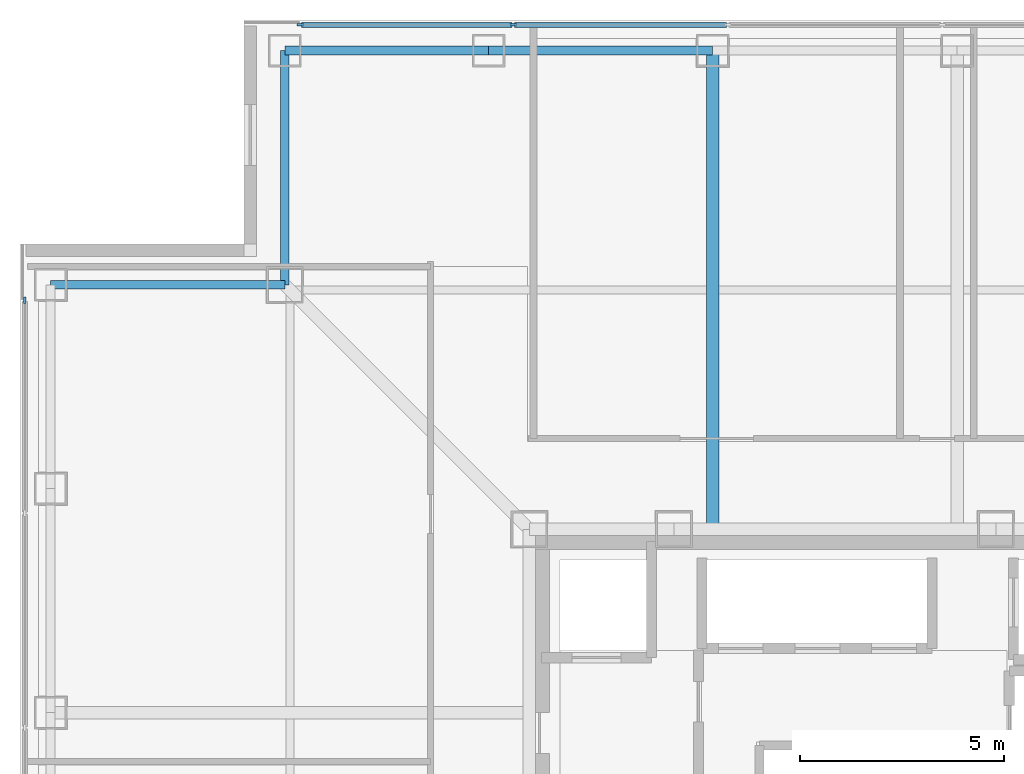
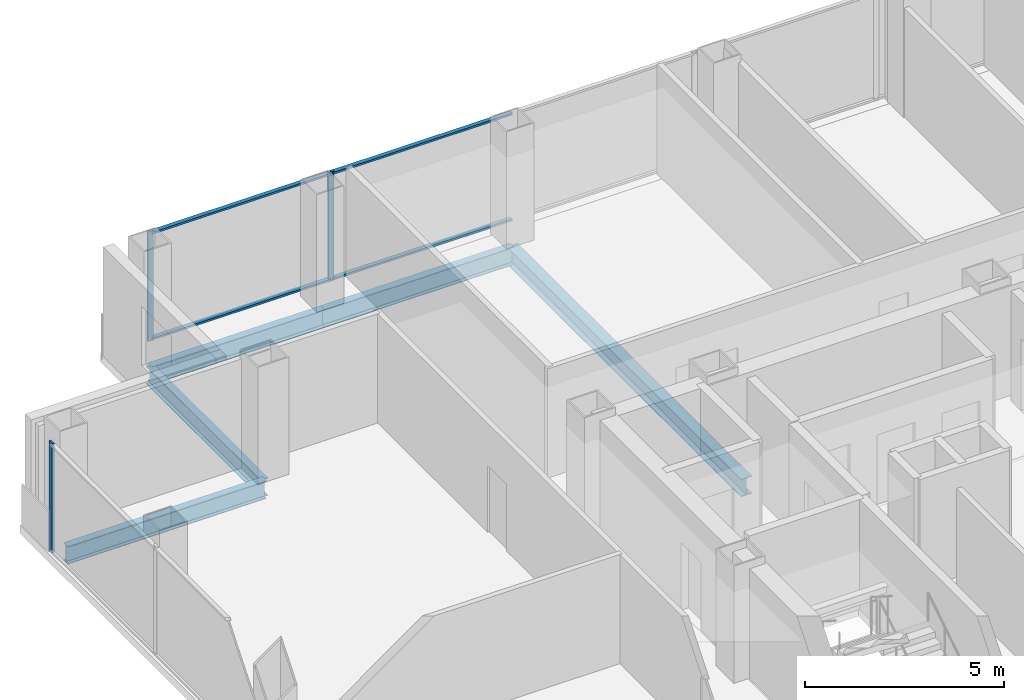
# One storey, part 7 of 18: 7 members, 5 beams, 2 elements without a shape of their own.
"""IFC4 building model written with IfcOpenShell, lengths in metres."""

from ifc_helpers import new_model, si_unit, direction, frame, origin, origin_2d, place, context, subcontext, project, spatial, rectangle, i_section, extrude, material, layer, layer_set, material_profile, profile_set, type_object, element, aggregate, save


model = new_model("IFC4")

# Units and contexts
model_context = context("Model", 3, precision=1e-05, world=origin(), true_north=direction((0.0, 1.0)))
body_context = subcontext(model_context, "Body", "Model", "MODEL_VIEW")
ifc_project = project(units=[si_unit("LENGTHUNIT", "METRE"), si_unit("AREAUNIT", "SQUARE_METRE"), si_unit("VOLUMEUNIT", "CUBIC_METRE"), si_unit("PLANEANGLEUNIT", "RADIAN"), si_unit("MASSUNIT", "GRAM", prefix="KILO")], contexts=[model_context])

# Site, building, storey
site_placement = place(None, origin())
site = spatial("IfcSite", under=ifc_project, at=site_placement, CompositionType="ELEMENT")
building_placement = place(site_placement, origin())
building = spatial("IfcBuilding", under=site, at=building_placement, Name="Trevonay Congress Spire", CompositionType="ELEMENT")
storey_placement = place(building_placement, frame((0.0, 0.0, 220.199951171875)))
storey = spatial("IfcBuildingStorey", under=building, at=storey_placement, Name="L57", CompositionType="ELEMENT", Elevation=220.199951171875)

# Beams
ifc_material_1 = material(Name="Steel ASTM A572 Grade 50", Category="steel")
ifc_material_profile_1 = material_profile(ifc_material_1, i_section(OverallWidth=0.31201171875, OverallDepth=0.54296875, WebThickness=0.0126953125, FlangeThickness=0.020263671875, FilletRadius=0.014892578125, at=origin_2d()), Name="W530x150")
ifc_profile_set_1 = profile_set([ifc_material_profile_1], Name="Steel ASTM A572 Grade 50")
beam_type_1 = type_object("IfcBeamType", Name="BM-GIRD-W530X150", PredefinedType="BEAM", material=ifc_profile_set_1)
beam_1_placement = place(storey_placement, frame((-3.0, 7.5, -0.511474609375), z_axis=(0.0, 1.0, 0.0), x_axis=(-1.0, 0.0, 0.0)))
element("IfcBeam", 1, at=beam_1_placement, inside=storey, type_object=beam_type_1, Name="L57 structural beam BM-L57-GN-M", PredefinedType="BEAM", context=body_context, shape_type="SweptSolid", body=[
    extrude(i_section(OverallWidth=0.31201171875, OverallDepth=0.54296875, WebThickness=0.0126953125, FlangeThickness=0.020263671875, FilletRadius=0.014892578125, at=origin_2d()), origin(), (0.0, 0.0, 1.0), 11.75),
])
ifc_material_profile_2 = material_profile(ifc_material_1, i_section(OverallWidth=0.2119140625, OverallDepth=0.5439453125, WebThickness=0.01318359375, FlangeThickness=0.021240234375, FilletRadius=0.014892578125, at=origin_2d()), Name="W530x123")
ifc_profile_set_2 = profile_set([ifc_material_profile_2], Name="Steel ASTM A572 Grade 50")
beam_type_2 = type_object("IfcBeamType", Name="BM-RING-W530X123", PredefinedType="BEAM", material=ifc_profile_set_2)
beam_2_placement = place(storey_placement, frame((-13.5, 19.25, -0.511962890625), z_axis=(1.0, 0.0, 0.0), x_axis=(0.0, 1.0, 0.0)))
element("IfcBeam", 2, at=beam_2_placement, inside=storey, type_object=beam_type_2, Name="L57 structural beam BM-L57-PN1", PredefinedType="BEAM", context=body_context, shape_type="SweptSolid", body=[
    extrude(i_section(OverallWidth=0.2119140625, OverallDepth=0.5439453125, WebThickness=0.01318359375, FlangeThickness=0.021240234375, FilletRadius=0.014892578125, at=origin_2d()), origin(), (0.0, 0.0, 1.0), 5.0),
])
beam_3_placement = place(storey_placement, frame((-8.5, 19.25, -0.511962890625), z_axis=(1.0, 0.0, 0.0), x_axis=(0.0, 1.0, 0.0)))
element("IfcBeam", 3, at=beam_3_placement, inside=storey, type_object=beam_type_2, Name="L57 structural beam BM-L57-PN2", PredefinedType="BEAM", context=body_context, shape_type="SweptSolid", body=[
    extrude(i_section(OverallWidth=0.2119140625, OverallDepth=0.5439453125, WebThickness=0.01318359375, FlangeThickness=0.021240234375, FilletRadius=0.014892578125, at=origin_2d()), origin(), (0.0, 0.0, 1.0), 5.5),
])
for number, where, z_axis, x_axis, name in (
    (4, (-13.5, 19.25, -0.511962890625), (0.0, -1.0, 0.0), (1.0, 0.0, 0.0), "L57 structural beam BM-L57-N1NW"),
    (5, (-19.25, 13.5, -0.511962890625), (1.0, 0.0, 0.0), (0.0, 1.0, 0.0), "L57 structural beam BM-L57-N2NW"),
):
    element("IfcBeam", number, at=place(storey_placement, frame(where, z_axis=z_axis, x_axis=x_axis)), inside=storey, type_object=beam_type_2, Name=name, PredefinedType="BEAM", context=body_context, shape_type="SweptSolid", body=[
        extrude(i_section(OverallWidth=0.2119140625, OverallDepth=0.5439453125, WebThickness=0.01318359375, FlangeThickness=0.021240234375, FilletRadius=0.014892578125, at=origin_2d()), origin(), (0.0, 0.0, 1.0), 5.75),
    ])

# Curtain wall, members
ifc_material_2 = material(Name="Pale Anodised Aluminium EN AW-6063-T6", Category="aluminium")
ifc_layer = layer(ifc_material_2, 0.169921875, Name="Pale Anodised Aluminium EN AW-6063-T6")
ifc_layer_set = layer_set([ifc_layer], Name="Pale Anodised Aluminium EN AW-6063-T6")
curtain_wall_type = type_object("IfcCurtainWallType", Name="CW-SYS04-CORP-PALE-METAL", PredefinedType="NOTDEFINED", material=ifc_layer_set)
curtain_wall_1_placement = place(storey_placement, origin())
curtain_wall_1 = element("IfcCurtainWall", 6, at=curtain_wall_1_placement, inside=storey, type_object=curtain_wall_type, Name="L57 N unitised curtain wall", PredefinedType="NOTDEFINED")
ifc_material_profile_3 = material_profile(ifc_material_2, rectangle(XDim=0.06005859375, YDim=0.159912109375, at=origin_2d()), Name="CW-MULLION-160-ALUMINIUM")
ifc_profile_set_3 = profile_set([ifc_material_profile_3], Name="Pale Anodised Aluminium EN AW-6063-T6")
member_type_1 = type_object("IfcMemberType", Name="CW-MULLION-160-ALUMINIUM", PredefinedType="MULLION", material=ifc_profile_set_3)
member_1_placement = place(storey_placement, frame((-13.1201171875, 19.8798828125, 0.0), z_axis=(0.0, 0.0, 1.0), x_axis=(0.0, 1.0, 0.0)))
member_1 = element("IfcMember", 7, at=member_1_placement, type_object=member_type_1, Name="CW04 mullion 1", PredefinedType="MULLION", context=body_context, shape_type="SweptSolid", body=[
    extrude(rectangle(XDim=0.06005859375, YDim=0.159912109375, at=origin_2d()), origin(), (0.0, 0.0, 1.0), 3.360107421875),
])
member_2_placement = place(storey_placement, frame((-7.889892578125, 19.8798828125, 0.0), z_axis=(0.0, 0.0, 1.0), x_axis=(0.0, 1.0, 0.0)))
member_2 = element("IfcMember", 8, at=member_2_placement, type_object=member_type_1, Name="CW04 mullion 2", PredefinedType="MULLION", context=body_context, shape_type="SweptSolid", body=[
    extrude(rectangle(XDim=0.06005859375, YDim=0.159912109375, at=origin_2d()), origin(), (0.0, 0.0, 1.0), 3.360107421875),
])

# Curtain wall, member
curtain_wall_2_placement = place(storey_placement, origin())
curtain_wall_2 = element("IfcCurtainWall", 9, at=curtain_wall_2_placement, inside=storey, type_object=curtain_wall_type, Name="L57 W unitised curtain wall", PredefinedType="NOTDEFINED")
member_3_placement = place(storey_placement, frame((-19.8798828125, 13.1201171875, 0.0), z_axis=(0.0, 0.0, 1.0), x_axis=(-1.0, 0.0, 0.0)))
member_3 = element("IfcMember", 10, at=member_3_placement, type_object=member_type_1, Name="CW04 mullion 6", PredefinedType="MULLION", context=body_context, shape_type="SweptSolid", body=[
    extrude(rectangle(XDim=0.06005859375, YDim=0.159912109375, at=origin_2d()), origin(), (0.0, 0.0, 1.0), 3.360107421875),
])
aggregate(curtain_wall_2, [member_3])

# Member
ifc_material_profile_4 = material_profile(ifc_material_2, rectangle(XDim=0.1201171875, YDim=0.06005859375, at=origin_2d()), Name="CW-TRANSOM-120-ALUMINIUM")
ifc_profile_set_4 = profile_set([ifc_material_profile_4], Name="Pale Anodised Aluminium EN AW-6063-T6")
member_type_2 = type_object("IfcMemberType", Name="CW-TRANSOM-120-ALUMINIUM", PredefinedType="USERDEFINED", material=ifc_profile_set_4)
member_4_placement = place(storey_placement, frame((-13.090087890625, 19.8798828125, 0.06005859375), z_axis=(1.0, 0.0, 0.0), x_axis=(0.0, 1.0, 0.0)))
member_4 = element("IfcMember", 11, at=member_4_placement, type_object=member_type_2, Name="CW04 transom 1.1", ObjectType="TRANSOM", PredefinedType="USERDEFINED", context=body_context, shape_type="SweptSolid", body=[
    extrude(rectangle(XDim=0.1201171875, YDim=0.06005859375, at=origin_2d()), origin(), (0.0, 0.0, 1.0), 5.170166015625),
])

member_5_placement = place(storey_placement, frame((-13.090087890625, 19.8798828125, 3.300048828125), z_axis=(1.0, 0.0, 0.0), x_axis=(0.0, 1.0, 0.0)))
member_5 = element("IfcMember", 12, at=member_5_placement, type_object=member_type_2, Name="CW04 transom 1.2", ObjectType="TRANSOM", PredefinedType="USERDEFINED", context=body_context, shape_type="SweptSolid", body=[
    extrude(rectangle(XDim=0.1201171875, YDim=0.06005859375, at=origin_2d()), origin(), (0.0, 0.0, 1.0), 5.170166015625),
])

member_6_placement = place(storey_placement, frame((-7.860107421875, 19.8798828125, 0.06005859375), z_axis=(1.0, 0.0, 0.0), x_axis=(0.0, 1.0, 0.0)))
member_6 = element("IfcMember", 13, at=member_6_placement, type_object=member_type_2, Name="CW04 transom 2.1", ObjectType="TRANSOM", PredefinedType="USERDEFINED", context=body_context, shape_type="SweptSolid", body=[
    extrude(rectangle(XDim=0.1201171875, YDim=0.06005859375, at=origin_2d()), origin(), (0.0, 0.0, 1.0), 5.2001953125),
])

member_7_placement = place(storey_placement, frame((-7.860107421875, 19.8798828125, 3.300048828125), z_axis=(1.0, 0.0, 0.0), x_axis=(0.0, 1.0, 0.0)))
member_7 = element("IfcMember", 14, at=member_7_placement, type_object=member_type_2, Name="CW04 transom 2.2", ObjectType="TRANSOM", PredefinedType="USERDEFINED", context=body_context, shape_type="SweptSolid", body=[
    extrude(rectangle(XDim=0.1201171875, YDim=0.06005859375, at=origin_2d()), origin(), (0.0, 0.0, 1.0), 5.2001953125),
])

aggregate(curtain_wall_1, [member_1, member_2, member_4, member_5, member_6, member_7])

save(model, "model.ifc")
